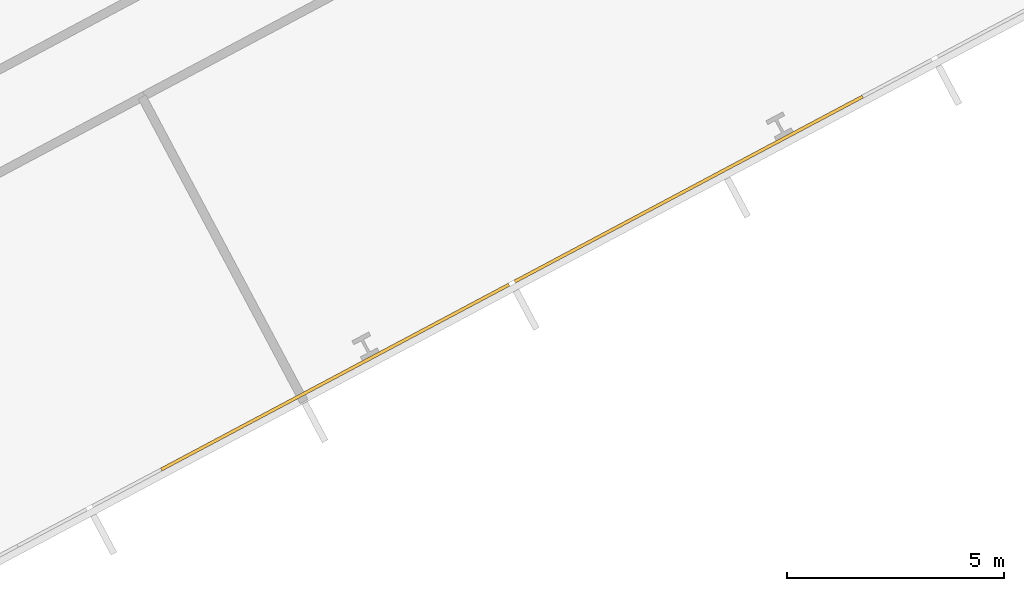
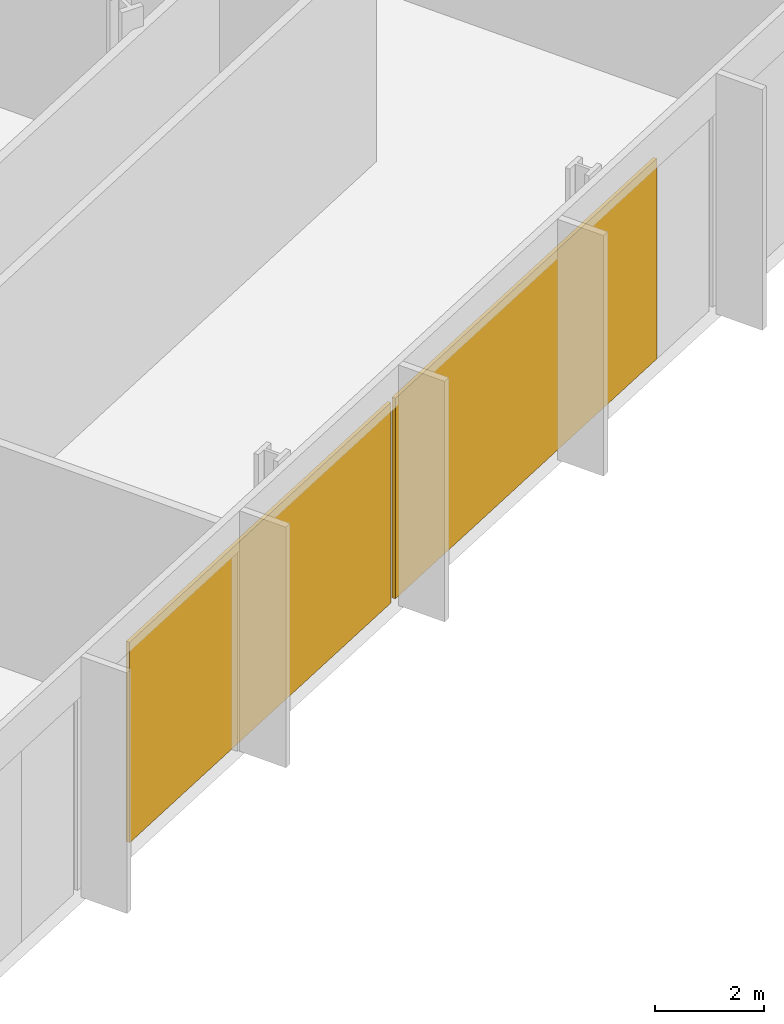
# One storey, part 28 of 31: 2 coverings, 1 element without a shape of its own.
"""IFC4 building model written with IfcOpenShell, lengths in metres."""

from ifc_helpers import new_model, si_unit, direction, frame, origin, origin_2d, place, context, subcontext, project, spatial, rectangle, extrude, material, layer, layer_set, type_object, element, aggregate, save


model = new_model("IFC4")

# Units and contexts
model_context = context("Model", 3, precision=1e-05, world=origin(), true_north=direction((0.0, 1.0)))
body_context = subcontext(model_context, "Body", "Model", "MODEL_VIEW")
ifc_project = project(units=[si_unit("LENGTHUNIT", "METRE"), si_unit("AREAUNIT", "SQUARE_METRE"), si_unit("VOLUMEUNIT", "CUBIC_METRE"), si_unit("PLANEANGLEUNIT", "RADIAN"), si_unit("MASSUNIT", "GRAM", prefix="KILO")], contexts=[model_context])

# Site, building, storey
site_placement = place(None, origin())
site = spatial("IfcSite", under=ifc_project, at=site_placement, CompositionType="ELEMENT")
building_placement = place(site_placement, origin())
building = spatial("IfcBuilding", under=site, at=building_placement, Name="Cormorant Relay Tower", CompositionType="ELEMENT")
storey_placement = place(building_placement, frame((0.0, 0.0, 23.0)))
storey = spatial("IfcBuildingStorey", under=building, at=storey_placement, Name="L04", CompositionType="ELEMENT", Elevation=23.0)

# Curtain wall, coverings
ifc_material_1 = material(Name="Aluminium 6063-T6 anodised bronze", Category="aluminium")
ifc_layer_1 = layer(ifc_material_1, 0.235107421875)
ifc_layer_set_1 = layer_set([ifc_layer_1], Name="CW6 data hall curtain wall with mineral wool panels")
curtain_wall_type = type_object("IfcCurtainWallType", Name="CW6 data hall curtain wall with mineral wool panels", PredefinedType="NOTDEFINED", material=ifc_layer_set_1)
curtain_wall_placement = place(storey_placement, origin())
curtain_wall = element("IfcCurtainWall", 1, at=curtain_wall_placement, inside=storey, type_object=curtain_wall_type, Name="CW6 curtain wall 2", PredefinedType="NOTDEFINED")
ifc_material_2 = material(Name="Mineral wool cored anodised bronze aluminium cassette panel", Category="aluminium")
ifc_layer_2 = layer(ifc_material_2, 0.074951171875)
ifc_layer_set_2 = layer_set([ifc_layer_2], Name="CW6 mineral wool cassette panel 75")
covering_type = type_object("IfcCoveringType", Name="CW6 mineral wool cassette panel 75", PredefinedType="CLADDING", material=ifc_layer_set_2)
covering_1_placement = place(storey_placement, frame((52.127685546875, 3.890380859375, 0.0), z_axis=(0.0, 0.0, 1.0), x_axis=(0.882947592859, 0.469471562786, 0.0)))
covering_1 = element("IfcCovering", 2, at=covering_1_placement, type_object=covering_type, Name="CW6 panel S10", PredefinedType="CLADDING", context=body_context, shape_type="SweptSolid", body=[
    extrude(rectangle(XDim=9.07373046875, YDim=0.074951171875, at=origin_2d()), origin(), (0.0, 0.0, 1.0), 4.5),
])
covering_2_placement = place(storey_placement, frame((60.27197265625, 8.220703125, 0.0), z_axis=(0.0, 0.0, 1.0), x_axis=(0.882947592859, 0.469471562786, 0.0)))
covering_2 = element("IfcCovering", 3, at=covering_2_placement, type_object=covering_type, Name="CW6 panel S11", PredefinedType="CLADDING", context=body_context, shape_type="SweptSolid", body=[
    extrude(rectangle(XDim=9.07373046875, YDim=0.074951171875, at=origin_2d()), origin(), (0.0, 0.0, 1.0), 4.5),
])
aggregate(curtain_wall, [covering_1, covering_2])

save(model, "model.ifc")
